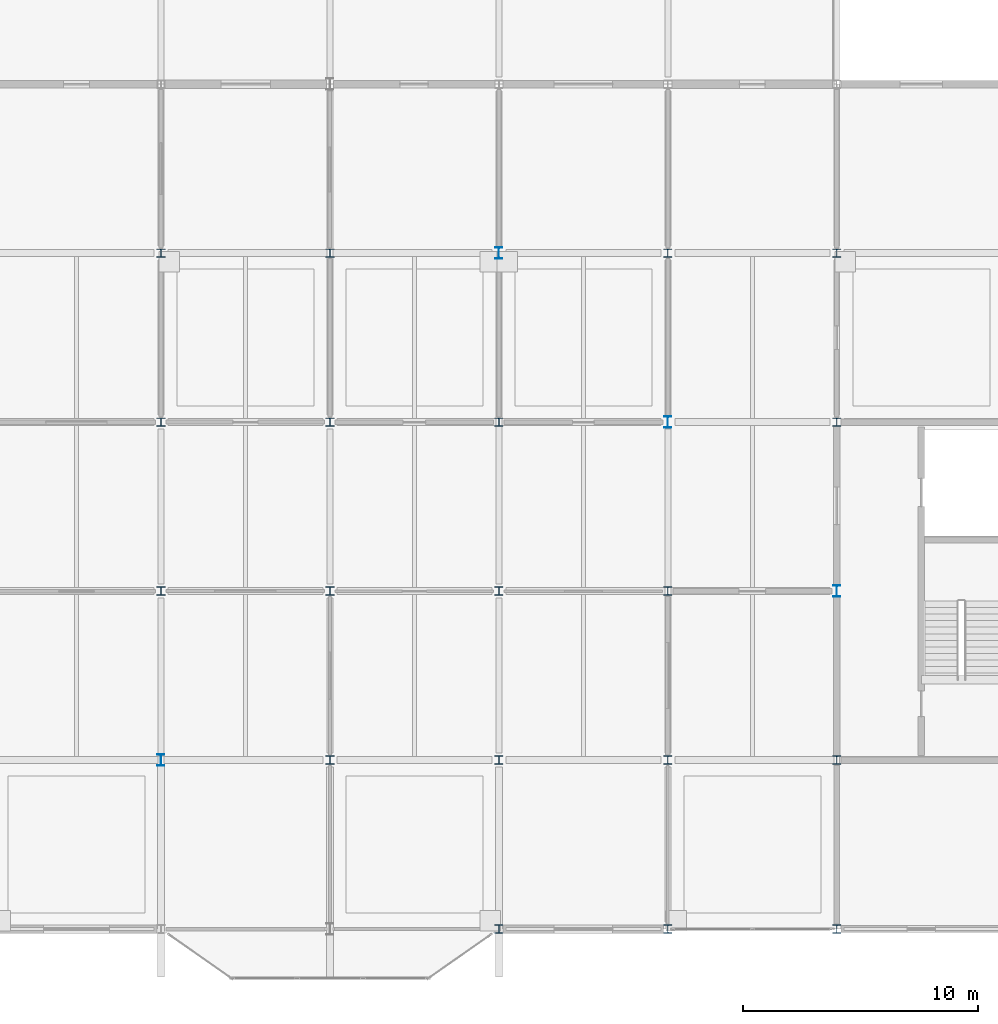
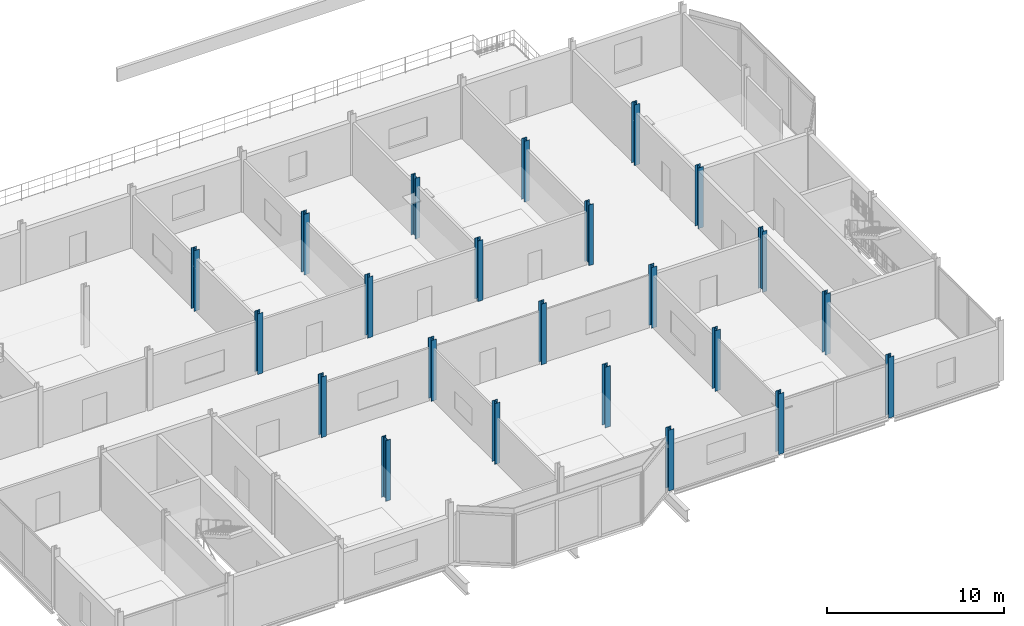
# One storey, part 2 of 26: 23 columns.
"""IFC4 building model written with IfcOpenShell, lengths in metres."""

from ifc_helpers import new_model, si_unit, direction, frame, origin, origin_2d, place, context, subcontext, project, spatial, i_section, extrude, material, material_profile, profile_set, type_object, element, save


model = new_model("IFC4")

# Units and contexts
model_context = context("Model", 3, precision=1e-05, world=origin(), true_north=direction((0.0, 1.0)))
body_context = subcontext(model_context, "Body", "Model", "MODEL_VIEW")
ifc_project = project(units=[si_unit("LENGTHUNIT", "METRE"), si_unit("AREAUNIT", "SQUARE_METRE"), si_unit("VOLUMEUNIT", "CUBIC_METRE"), si_unit("PLANEANGLEUNIT", "RADIAN"), si_unit("MASSUNIT", "GRAM", prefix="KILO")], contexts=[model_context])

# Site, building, storey
site_placement = place(None, origin())
site = spatial("IfcSite", under=ifc_project, at=site_placement, CompositionType="ELEMENT")
building_placement = place(site_placement, origin())
building = spatial("IfcBuilding", under=site, at=building_placement, Name="Vesperath Aquatics Centre", CompositionType="ELEMENT")
storey_placement = place(building_placement, frame((0.0, 0.0, 19.199951171875)))
storey = spatial("IfcBuildingStorey", under=building, at=storey_placement, Name="L04", CompositionType="ELEMENT", Elevation=19.199951171875)

# Columns
ifc_material_1 = material(Name="Steel Q355C", Category="steel")
ifc_material_profile_1 = material_profile(ifc_material_1, i_section(OverallWidth=0.35009765625, OverallDepth=0.35009765625, WebThickness=0.011962890625, FlangeThickness=0.01904296875, FilletRadius=0.02001953125, at=origin_2d()), Name="HW 350x350x12x19")
ifc_profile_set_1 = profile_set([ifc_material_profile_1], Name="Steel Q355C")
column_type_1 = type_object("IfcColumnType", Name="CL-C11", PredefinedType="COLUMN", material=ifc_profile_set_1)
for number, where, z_axis, x_axis, name in (
    (1, (136.800048828125, 14.39990234375, 0.0), (0.0, 0.0, 1.0), (1.0, 0.0, 0.0), "Column C11 L04 20/C"),
    (2, (136.800048828125, 21.60009765625, 0.0), (0.0, 0.0, 1.0), (1.0, 0.0, 0.0), "Column C11 L04 20/D"),
    (3, (136.800048828125, 28.800048828125, 0.0), (0.0, 0.0, 1.0), (1.0, 0.0, 0.0), "Column C11 L04 20/E"),
    (4, (144.0, 7.199951171875, 0.0), (0.0, 0.0, 1.0), (1.0, 0.0, 0.0), "Column C11 L04 21/B"),
    (5, (144.0, 14.39990234375, 0.0), (0.0, 0.0, 1.0), (1.0, 0.0, 0.0), "Column C11 L04 21/C"),
    (6, (144.0, 21.60009765625, 0.0), (0.0, 0.0, 1.0), (1.0, 0.0, 0.0), "Column C11 L04 21/D"),
    (7, (144.0, 28.800048828125, 0.0), (0.0, 0.0, 1.0), (1.0, 0.0, 0.0), "Column C11 L04 21/E"),
    (8, (151.199951171875, 0.0, 0.0), (0.0, 0.0, 1.0), (1.0, 0.0, 0.0), "Column C11 L04 22/A"),
    (9, (151.199951171875, 7.199951171875, 0.0), (0.0, 0.0, 1.0), (1.0, 0.0, 0.0), "Column C11 L04 22/B"),
    (10, (151.199951171875, 14.39990234375, 0.0), (0.0, 0.0, 1.0), (1.0, 0.0, 0.0), "Column C11 L04 22/C"),
    (11, (151.199951171875, 21.60009765625, 0.0), (0.0, 0.0, 1.0), (1.0, 0.0, 0.0), "Column C11 L04 22/D"),
    (12, (158.39990234375, 0.0, 0.0), (0.0, 0.0, 1.0), (1.0, 0.0, 0.0), "Column C11 L04 23/A"),
    (13, (158.39990234375, 7.199951171875, 0.0), (0.0, 0.0, 1.0), (1.0, 0.0, 0.0), "Column C11 L04 23/B"),
    (14, (158.39990234375, 14.39990234375, 0.0), (0.0, 0.0, 1.0), (1.0, 0.0, 0.0), "Column C11 L04 23/C"),
    (15, (158.39990234375, 28.800048828125, 0.0), (0.0, 0.0, 1.0), (1.0, 0.0, 0.0), "Column C11 L04 23/E"),
    (16, (165.60009765625, 0.0, 0.0), (0.0, 0.0, 1.0), (1.0, 0.0, 0.0), "Column C11 L04 24/A"),
    (17, (165.60009765625, 7.199951171875, 0.0), (0.0, 0.0, 1.0), (1.0, 0.0, 0.0), "Column C11 L04 24/B"),
    (18, (165.60009765625, 21.60009765625, 0.0), (0.0, 0.0, 1.0), (1.0, 0.0, 0.0), "Column C11 L04 24/D"),
    (19, (165.60009765625, 28.800048828125, 0.0), (0.0, 0.0, 1.0), (1.0, 0.0, 0.0), "Column C11 L04 24/E"),
):
    element("IfcColumn", number, at=place(storey_placement, frame(where, z_axis=z_axis, x_axis=x_axis)), inside=storey, type_object=column_type_1, Name=name, PredefinedType="COLUMN", context=body_context, shape_type="SweptSolid", body=[
        extrude(i_section(OverallWidth=0.35009765625, OverallDepth=0.35009765625, WebThickness=0.011962890625, FlangeThickness=0.01904296875, FilletRadius=0.02001953125, at=origin_2d()), origin(), (0.0, 0.0, 1.0), 4.199951171875),
    ])
ifc_material_2 = material(Name="Steel Q355D", Category="steel")
ifc_material_profile_2 = material_profile(ifc_material_2, i_section(OverallWidth=0.300048828125, OverallDepth=0.488037109375, WebThickness=0.010986328125, FlangeThickness=0.01806640625, FilletRadius=0.02587890625, at=origin_2d()), Name="HM 488x300x11x18")
ifc_profile_set_2 = profile_set([ifc_material_profile_2], Name="Steel Q355D")
column_type_2 = type_object("IfcColumnType", Name="CL-C18", PredefinedType="COLUMN", material=ifc_profile_set_2)
for number, where, z_axis, x_axis, name in (
    (20, (136.800048828125, 7.199951171875, 0.0), (0.0, 0.0, 1.0), (1.0, 0.0, 0.0), "Column C18 L04 20/B"),
    (21, (151.199951171875, 28.800048828125, 0.0), (0.0, 0.0, 1.0), (1.0, 0.0, 0.0), "Column C18 L04 22/E"),
    (22, (158.39990234375, 21.60009765625, 0.0), (0.0, 0.0, 1.0), (1.0, 0.0, 0.0), "Column C18 L04 23/D"),
    (23, (165.60009765625, 14.39990234375, 0.0), (0.0, 0.0, 1.0), (1.0, 0.0, 0.0), "Column C18 L04 24/C"),
):
    element("IfcColumn", number, at=place(storey_placement, frame(where, z_axis=z_axis, x_axis=x_axis)), inside=storey, type_object=column_type_2, Name=name, PredefinedType="COLUMN", context=body_context, shape_type="SweptSolid", body=[
        extrude(i_section(OverallWidth=0.300048828125, OverallDepth=0.488037109375, WebThickness=0.010986328125, FlangeThickness=0.01806640625, FilletRadius=0.02587890625, at=origin_2d()), origin(), (0.0, 0.0, 1.0), 4.199951171875),
    ])

save(model, "model.ifc")
